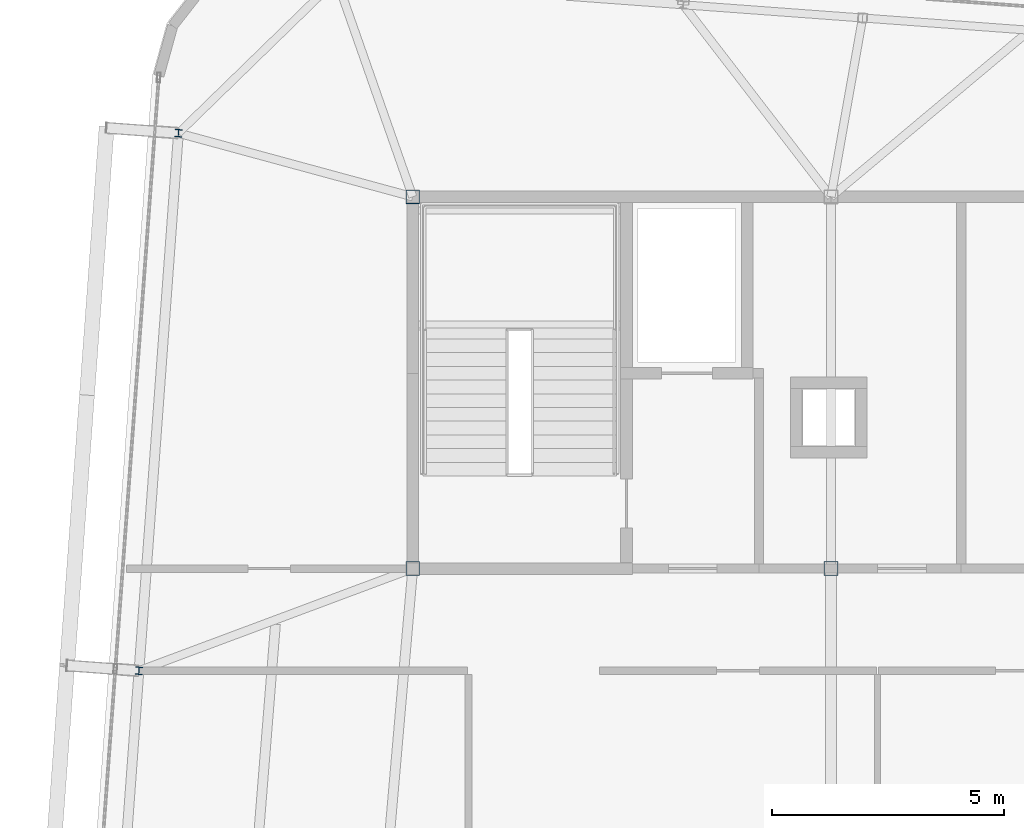
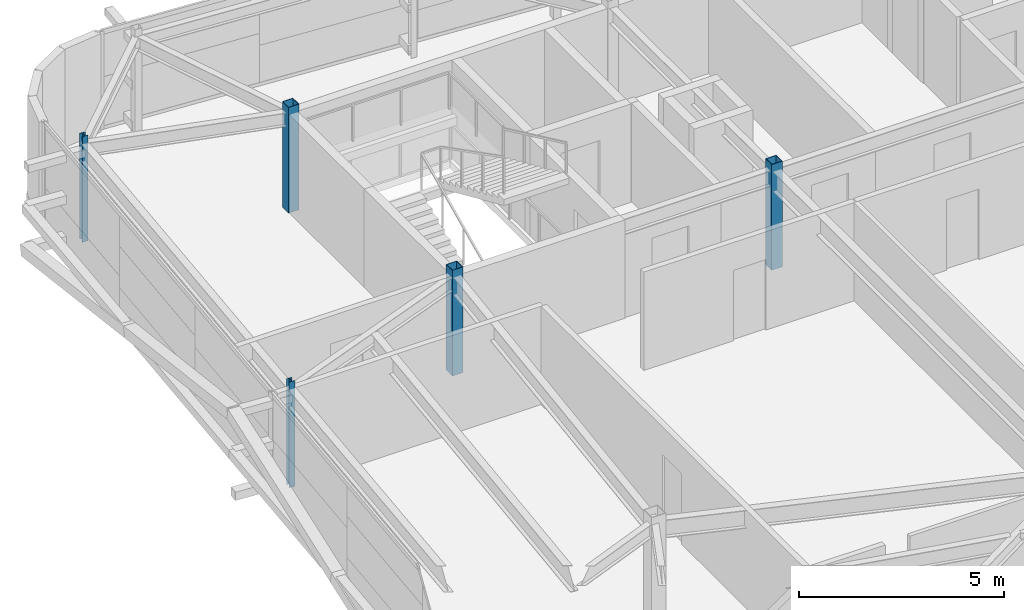
# One storey, part 3 of 34: 5 columns.
"""IFC4 building model written with IfcOpenShell, lengths in metres."""

from ifc_helpers import new_model, si_unit, direction, frame, origin, origin_2d, place, context, subcontext, project, spatial, hollow_rectangle, i_section, extrude, source, transform, mapped, material, material_profile, profile_set, type_object, element, save


model = new_model("IFC4")

# Units and contexts
model_context = context("Model", 3, precision=1e-05, world=origin(), true_north=direction((0.0, 1.0)))
body_context = subcontext(model_context, "Body", "Model", "MODEL_VIEW")
ifc_project = project(units=[si_unit("LENGTHUNIT", "METRE"), si_unit("AREAUNIT", "SQUARE_METRE"), si_unit("VOLUMEUNIT", "CUBIC_METRE"), si_unit("PLANEANGLEUNIT", "RADIAN"), si_unit("MASSUNIT", "GRAM", prefix="KILO")], contexts=[model_context])

# Site, building, storey
site_placement = place(None, origin())
site = spatial("IfcSite", under=ifc_project, at=site_placement, CompositionType="ELEMENT")
building_placement = place(site_placement, origin())
building = spatial("IfcBuilding", under=site, at=building_placement, Name="Taldren Reach Tower", CompositionType="ELEMENT")
storey_placement = place(building_placement, frame((0.0, 0.0, 242.89990234375)))
storey = spatial("IfcBuildingStorey", under=building, at=storey_placement, Name="L74", CompositionType="ELEMENT", Elevation=242.89990234375)

# Columns
ifc_material_1 = material(Name="Steel Gr 450 (C450L0)", Category="steel")
ifc_material_profile_1 = material_profile(ifc_material_1, hollow_rectangle(XDim=0.300048828125, YDim=0.300048828125, WallThickness=0.012451171875, at=origin_2d()), Name="300x300x12.5SHS")
ifc_profile_set_1 = profile_set([ifc_material_profile_1], Name="Steel Gr 450 (C450L0)")
column_type_1 = type_object("IfcColumnType", Name="COL-SHS300", PredefinedType="COLUMN", material=ifc_profile_set_1)
shared_shape_1 = source(origin(), body_context, "Body", "SweptSolid", [
    extrude(hollow_rectangle(XDim=0.300048828125, YDim=0.300048828125, WallThickness=0.012451171875, at=origin_2d()), origin(), (0.0, 0.0, 1.0), 3.150146484375),
])
for number, where, z_axis, x_axis, name in (
    (1, (19.0, 24.0, 0.0), (0.0, 0.0, 1.0), (1.0, 0.0, 0.0), "Mega column MC-C1 L74"),
    (2, (28.0, 24.0, 0.0), (0.0, 0.0, 1.0), (1.0, 0.0, 0.0), "Mega column MC-C2 L74"),
    (3, (19.0, 32.0, 0.0), (0.0, 0.0, 1.0), (1.0, 0.0, 0.0), "Mega column MC-C5 L74"),
):
    element("IfcColumn", number, at=place(storey_placement, frame(where, z_axis=z_axis, x_axis=x_axis)), inside=storey, type_object=column_type_1, Name=name, PredefinedType="COLUMN", context=body_context, shape_type="MappedRepresentation", body=[
        mapped(shared_shape_1, transform((0.0, 0.0, 0.0), scale=1.0)),
    ])
ifc_material_2 = material(Name="Steel Gr 350 (350PLUS)", Category="steel")
ifc_material_profile_2 = material_profile(ifc_material_2, i_section(OverallWidth=0.154052734375, OverallDepth=0.162109375, WebThickness=0.008056640625, FlangeThickness=0.011474609375, at=origin_2d()), Name="150UC37.2")
ifc_profile_set_2 = profile_set([ifc_material_profile_2], Name="Steel Gr 350 (350PLUS)")
column_type_2 = type_object("IfcColumnType", Name="COL-UC150", PredefinedType="COLUMN", material=ifc_profile_set_2)
shared_shape_2 = source(origin(), body_context, "Body", "SweptSolid", [
    extrude(i_section(OverallWidth=0.154052734375, OverallDepth=0.162109375, WebThickness=0.008056640625, FlangeThickness=0.011474609375, at=origin_2d()), origin(), (0.0, 0.0, 1.0), 3.150146484375),
])
for number, where, z_axis, x_axis, name in (
    (4, (13.108642578125, 21.80029296875, 0.0), (0.0, 0.0, 1.0), (0.997314477224, -0.073238197128, 0.0), "Block B5 perimeter column W2 L74"),
    (5, (13.958251953125, 33.369140625, 0.0), (0.0, 0.0, 1.0), (0.997314477224, -0.073238197128, 0.0), "Block B5 perimeter column W3 L74"),
):
    element("IfcColumn", number, at=place(storey_placement, frame(where, z_axis=z_axis, x_axis=x_axis)), inside=storey, type_object=column_type_2, Name=name, PredefinedType="COLUMN", context=body_context, shape_type="MappedRepresentation", body=[
        mapped(shared_shape_2, transform((0.0, 0.0, 0.0), scale=1.0)),
    ])

save(model, "model.ifc")
